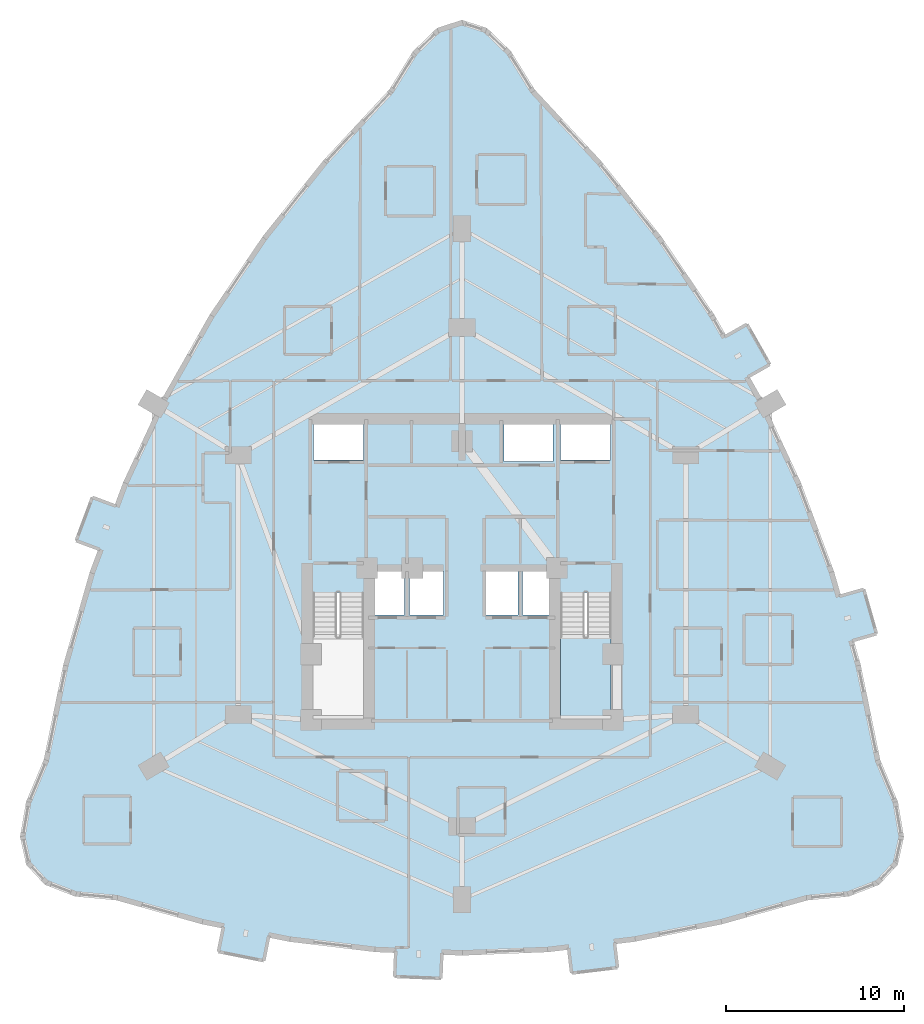
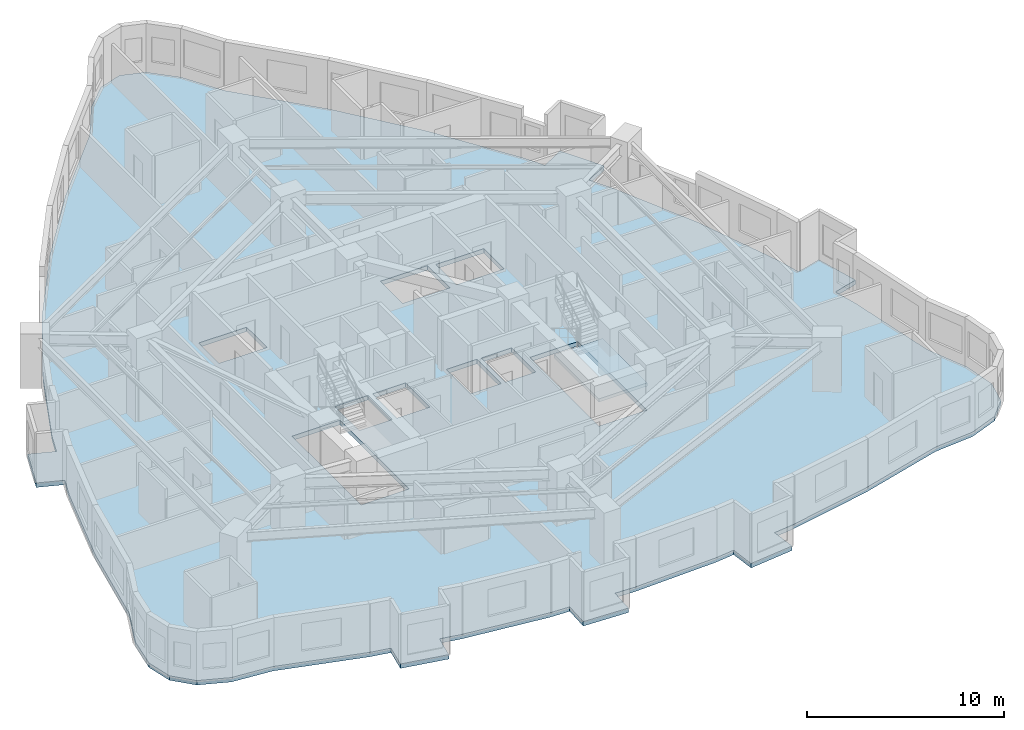
# One storey, part 4 of 13: 2 slabs, 1 element without a shape of its own.
"""IFC4 building model written with IfcOpenShell, lengths in metres."""

from ifc_helpers import new_model, si_unit, direction, frame, origin, place, context, subcontext, project, spatial, polyline, outline, extrude, material, layer, layer_set, type_object, element, aggregate, save


model = new_model("IFC4")

# Units and contexts
model_context = context("Model", 3, precision=1e-05, world=origin(), true_north=direction((0.0, 1.0)))
body_context = subcontext(model_context, "Body", "Model", "MODEL_VIEW")
ifc_project = project(units=[si_unit("LENGTHUNIT", "METRE"), si_unit("AREAUNIT", "SQUARE_METRE"), si_unit("VOLUMEUNIT", "CUBIC_METRE"), si_unit("PLANEANGLEUNIT", "RADIAN"), si_unit("MASSUNIT", "GRAM", prefix="KILO")], contexts=[model_context])

# Site, building, storey
site_placement = place(None, origin())
site = spatial("IfcSite", under=ifc_project, at=site_placement, CompositionType="ELEMENT")
building_placement = place(site_placement, origin())
building = spatial("IfcBuilding", under=site, at=building_placement, Name="Miruveldt Soraemaru", CompositionType="ELEMENT")
storey_placement = place(building_placement, frame((0.0, 0.0, 46.199951171875)))
storey = spatial("IfcBuildingStorey", under=building, at=storey_placement, Name="L12", CompositionType="ELEMENT", Elevation=46.199951171875)

# Stair, slab
ifc_material = material(Name="Concrete C40/50 (40 MPa)", Category="concrete")
stair_type = type_object("IfcStairType", Name="STAIR-DL-340", PredefinedType="HALF_TURN_STAIR", material=ifc_material)
stair_placement = place(storey_placement, origin())
stair = element("IfcStair", 1, at=stair_placement, inside=storey, type_object=stair_type, Name="L12 Protected Exit Stair ST-2", PredefinedType="HALF_TURN_STAIR")
ifc_layer_1 = layer(ifc_material, 0.199951171875, Name="Concrete C40/50 (40 MPa)", Category="concrete")
ifc_layer_set_1 = layer_set([ifc_layer_1], Name="Concrete C40/50 (40 MPa)")
slab_type_1 = type_object("IfcSlabType", Name="SLAB-LAND-200", PredefinedType="LANDING", material=ifc_layer_set_1)
slab_1_placement = place(storey_placement, frame((0.0, 0.0, 1.5)))
slab_1 = element("IfcSlab", 2, at=slab_1_placement, type_object=slab_type_1, Name="ST-2 landing 1", PredefinedType="LANDING", context=body_context, shape_type="SweptSolid", body=[
    extrude(outline(polyline([(49.550048828125, 40.197998046875), (49.550048828125, 35.64990234375), (52.39990234375, 35.64990234375), (52.39990234375, 40.197998046875), (49.550048828125, 40.197998046875)])), origin(), (0.0, 0.0, 1.0), 0.199951171875),
])
aggregate(stair, [slab_1])

# Slab
ifc_layer_2 = layer(ifc_material, 0.27490234375, Name="Concrete C40/50 (40 MPa)", Category="concrete")
ifc_layer_set_2 = layer_set([ifc_layer_2], Name="Concrete C40/50 (40 MPa)")
slab_type_2 = type_object("IfcSlabType", Name="SLAB-RES1-275", PredefinedType="FLOOR", material=ifc_layer_set_2)
slab_2_placement = place(storey_placement, frame((0.0, 0.0, -0.27490234375)))
element("IfcSlab", 3, at=slab_2_placement, inside=storey, type_object=slab_type_2, Name="L12 Structural Floor Slab", PredefinedType="FLOOR", context=body_context, shape_type="SweptSolid", body=[
    extrude(outline(polyline([(40.21240234375, 21.05419921875), (40.271484375, 22.532958984375), (39.14111328125, 22.578125), (34.281982421875, 23.1611328125), (31.852294921875, 23.647216796875), (33.127197265625, 23.39208984375), (32.8369140625, 21.94091796875), (30.287353515625, 22.45068359375), (30.57763671875, 23.902099609375), (29.4228515625, 24.133056640625), (24.563720703125, 25.493408203125), (22.24609375, 25.70751953125), (20.590576171875, 26.349853515625), (19.597412109375, 27.42041015625), (19.26611328125, 28.919189453125), (19.597412109375, 30.845947265625), (20.590576171875, 33.201171875), (21.700439453125, 38.594482421875), (23.1875, 43.79345703125), (24.119384765625, 46.295654296875), (23.66552734375, 45.077392578125), (22.27880859375, 45.593994140625), (23.186279296875, 48.030517578125), (24.5732421875, 47.513916015625), (25.051513671875, 48.7978515625), (27.29248046875, 53.608154296875), (29.910400390625, 58.22412109375), (32.905517578125, 62.6455078125), (36.277587890625, 66.87255859375), (40.02685546875, 70.9052734375), (41.351318359375, 73.04638671875), (42.675537109375, 74.330810546875), (44.0, 74.759033203125), (45.324462890625, 74.330810546875), (46.648681640625, 73.04638671875), (47.97314453125, 70.9052734375), (51.722412109375, 66.87255859375), (55.094482421875, 62.6455078125), (58.089599609375, 58.22412109375), (59.398681640625, 55.916015625), (58.75732421875, 57.046875), (60.044677734375, 57.77685546875), (61.327392578125, 55.515380859375), (60.039794921875, 54.785400390625), (60.70751953125, 53.608154296875), (62.948486328125, 48.7978515625), (64.8125, 43.79345703125), (65.198486328125, 42.44384765625), (66.62158203125, 42.850830078125), (67.33642578125, 40.35107421875), (65.91357421875, 39.944091796875), (66.299560546875, 38.594482421875), (67.409423828125, 33.201171875), (68.402587890625, 30.845947265625), (68.73388671875, 28.919189453125), (68.402587890625, 27.42041015625), (67.409423828125, 26.349853515625), (65.75390625, 25.70751953125), (63.436279296875, 25.493408203125), (58.5771484375, 24.133056640625), (53.718017578125, 23.1611328125), (51.28857421875, 22.86962890625), (52.579345703125, 23.0244140625), (52.755615234375, 21.554931640625), (50.174072265625, 21.245361328125), (49.997802734375, 22.71484375), (48.85888671875, 22.578125), (44.0, 22.3837890625), (41.570556640625, 22.48095703125), (42.869384765625, 22.428955078125), (42.810302734375, 20.9501953125), (40.21240234375, 21.05419921875)]), holes=[polyline([(35.614990234375, 35.6650390625), (38.43505859375, 35.6650390625), (38.43505859375, 42.68505859375), (35.614990234375, 42.68505859375), (35.614990234375, 35.6650390625)]), polyline([(49.56494140625, 35.6650390625), (52.385009765625, 35.6650390625), (52.385009765625, 42.68505859375), (49.56494140625, 42.68505859375), (49.56494140625, 35.6650390625)]), polyline([(40.764892578125, 41.4150390625), (40.764892578125, 43.885009765625), (38.81494140625, 43.885009765625), (38.81494140625, 41.4150390625), (40.764892578125, 41.4150390625)]), polyline([(42.965087890625, 41.4150390625), (42.965087890625, 43.885009765625), (41.034912109375, 43.885009765625), (41.034912109375, 41.4150390625), (42.965087890625, 41.4150390625)]), polyline([(47.1650390625, 41.4150390625), (47.1650390625, 43.885009765625), (45.364990234375, 43.885009765625), (45.364990234375, 41.4150390625), (47.1650390625, 41.4150390625)]), polyline([(49.18505859375, 41.4150390625), (49.18505859375, 43.885009765625), (47.39501953125, 43.885009765625), (47.39501953125, 41.4150390625), (49.18505859375, 41.4150390625)]), polyline([(38.445068359375, 50.135009765625), (38.445068359375, 52.205078125), (35.635009765625, 52.205078125), (35.635009765625, 50.135009765625), (38.445068359375, 50.135009765625)]), polyline([(49.554931640625, 50.135009765625), (52.364990234375, 50.135009765625), (52.364990234375, 52.205078125), (49.554931640625, 52.205078125), (49.554931640625, 50.135009765625)]), polyline([(46.364990234375, 50.06494140625), (49.135009765625, 50.06494140625), (49.135009765625, 52.3349609375), (46.364990234375, 52.3349609375), (46.364990234375, 50.06494140625)])]), origin(), (0.0, 0.0, 1.0), 0.27490234375),
])

save(model, "model.ifc")
